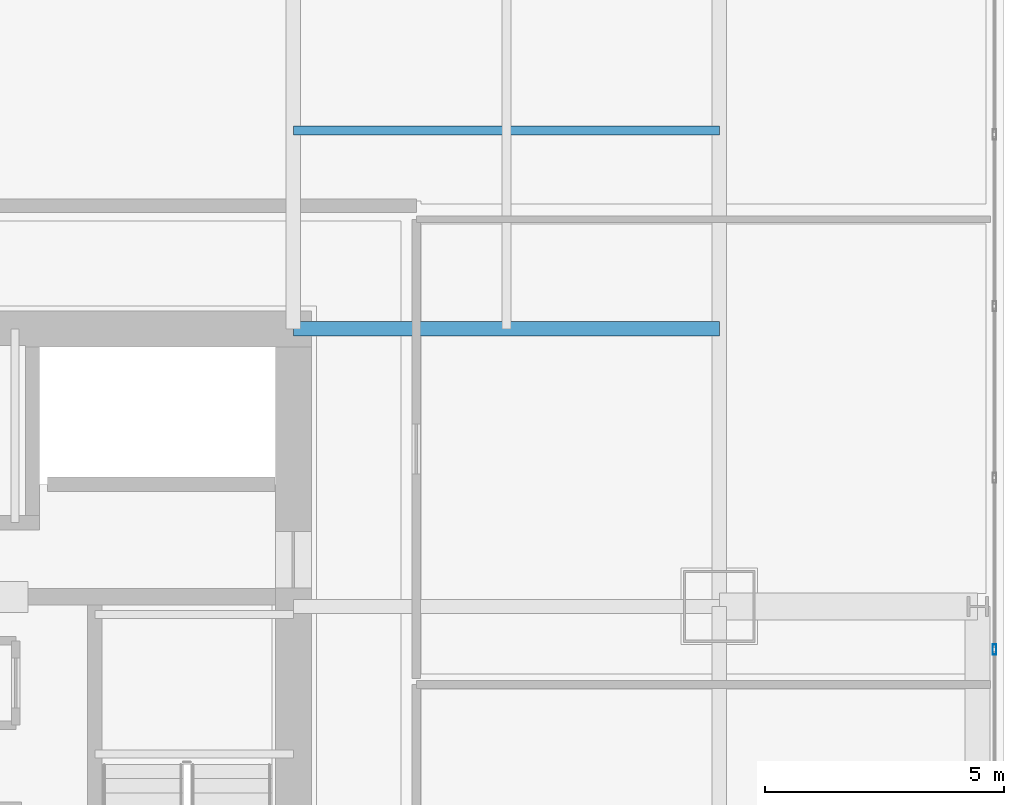
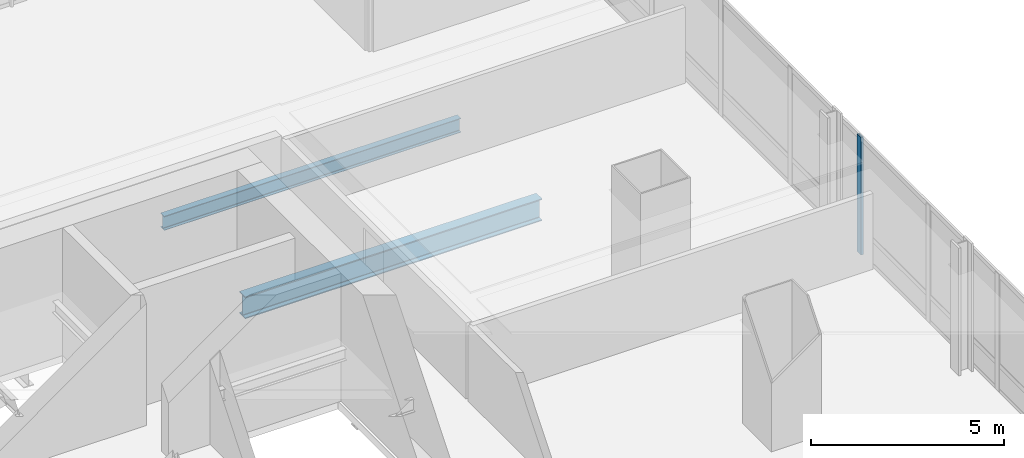
# One storey, part 18 of 33: 2 beams, 1 member, 1 element without a shape of its own.
"""IFC4 building model written with IfcOpenShell, lengths in metres."""

from ifc_helpers import new_model, si_unit, direction, frame, origin, origin_2d, place, context, subcontext, project, spatial, hollow_rectangle, i_section, extrude, material, material_profile, profile_set, type_object, element, aggregate, save


model = new_model("IFC4")

# Units and contexts
model_context = context("Model", 3, precision=1e-05, world=origin(), true_north=direction((0.0, 1.0)))
body_context = subcontext(model_context, "Body", "Model", "MODEL_VIEW")
ifc_project = project(units=[si_unit("LENGTHUNIT", "METRE"), si_unit("AREAUNIT", "SQUARE_METRE"), si_unit("VOLUMEUNIT", "CUBIC_METRE"), si_unit("PLANEANGLEUNIT", "RADIAN"), si_unit("MASSUNIT", "GRAM", prefix="KILO")], contexts=[model_context])

# Site, building, storey
site_placement = place(None, origin())
site = spatial("IfcSite", under=ifc_project, at=site_placement, CompositionType="ELEMENT")
building_placement = place(site_placement, origin())
building = spatial("IfcBuilding", under=site, at=building_placement, Name="Punatoya Terracotta Tower", CompositionType="ELEMENT")
storey_placement = place(building_placement, frame((0.0, 0.0, 121.35009765625)))
storey = spatial("IfcBuildingStorey", under=building, at=storey_placement, Name="L28", CompositionType="ELEMENT", Elevation=121.35009765625)

# Beams
ifc_material_1 = material(Name="Steel S355", Category="steel")
ifc_material_profile_1 = material_profile(ifc_material_1, i_section(OverallWidth=0.300048828125, OverallDepth=0.699951171875, WebThickness=0.01708984375, FlangeThickness=0.031982421875, FilletRadius=0.01806640625, at=origin_2d()))
ifc_profile_set_1 = profile_set([ifc_material_profile_1], Name="Steel S355")
beam_type_1 = type_object("IfcBeamType", Name="BM-PRI-700", PredefinedType="BEAM", material=ifc_profile_set_1)
beam_1_placement = place(storey_placement, frame((10.199951171875, 9.199951171875, -0.590087890625), z_axis=(1.0, 0.0, 0.0), x_axis=(0.0, 1.0, 0.0)))
element("IfcBeam", 1, at=beam_1_placement, inside=storey, type_object=beam_type_1, Name="BM-L28-PR-EN", PredefinedType="BEAM", context=body_context, shape_type="SweptSolid", body=[
    extrude(i_section(OverallWidth=0.300048828125, OverallDepth=0.699951171875, WebThickness=0.01708984375, FlangeThickness=0.031982421875, FilletRadius=0.01806640625, at=origin_2d()), origin(), (0.0, 0.0, 1.0), 8.900146484375),
])
ifc_material_profile_2 = material_profile(ifc_material_1, i_section(OverallWidth=0.18994140625, OverallDepth=0.449951171875, WebThickness=0.009521484375, FlangeThickness=0.0146484375, FilletRadius=0.01806640625, at=origin_2d()))
ifc_profile_set_2 = profile_set([ifc_material_profile_2], Name="Steel S355")
beam_type_2 = type_object("IfcBeamType", Name="BM-SEC-450", PredefinedType="JOIST", material=ifc_profile_set_2)
beam_2_placement = place(storey_placement, frame((10.199951171875, 13.35009765625, -0.465087890625), z_axis=(1.0, 0.0, 0.0), x_axis=(0.0, 1.0, 0.0)))
element("IfcBeam", 2, at=beam_2_placement, inside=storey, type_object=beam_type_2, Name="BM-L28-SJN-2", PredefinedType="JOIST", context=body_context, shape_type="SweptSolid", body=[
    extrude(i_section(OverallWidth=0.18994140625, OverallDepth=0.449951171875, WebThickness=0.009521484375, FlangeThickness=0.0146484375, FilletRadius=0.01806640625, at=origin_2d()), origin(), (0.0, 0.0, 1.0), 8.900146484375),
])

# Curtain wall, member
ifc_material_2 = material(Name="Aluminium 6063-T6 + Double Low-E Glass", Category="aluminium")
curtain_wall_type = type_object("IfcCurtainWallType", Name="CW-M1", PredefinedType="NOTDEFINED", material=ifc_material_2)
curtain_wall_placement = place(storey_placement, origin())
curtain_wall = element("IfcCurtainWall", 3, at=curtain_wall_placement, inside=storey, type_object=curtain_wall_type, Name="L28 Curtain Wall CW-L28-E05-1", PredefinedType="NOTDEFINED")
ifc_material_3 = material(Name="Aluminium 6063-T6", Category="aluminium")
ifc_material_profile_3 = material_profile(ifc_material_3, hollow_rectangle(XDim=0.074951171875, YDim=0.2099609375, WallThickness=0.00439453125, at=origin_2d()))
ifc_profile_set_3 = profile_set([ifc_material_profile_3], Name="Aluminium 6063-T6")
member_type = type_object("IfcMemberType", Name="CW-MUL-M1", PredefinedType="MULLION", material=ifc_profile_set_3)
member_placement = place(storey_placement, frame((24.85009765625, 2.500244140625, 0.0), z_axis=(0.0, 0.0, 1.0), x_axis=(1.0, 0.0, 0.0)))
member = element("IfcMember", 4, at=member_placement, type_object=member_type, Name="CW-L28-E05-1 Mullion 05", PredefinedType="MULLION", context=body_context, shape_type="SweptSolid", body=[
    extrude(hollow_rectangle(XDim=0.074951171875, YDim=0.2099609375, WallThickness=0.00439453125, at=origin_2d()), origin(), (0.0, 0.0, 1.0), 3.72998046875),
])
aggregate(curtain_wall, [member])

save(model, "model.ifc")
